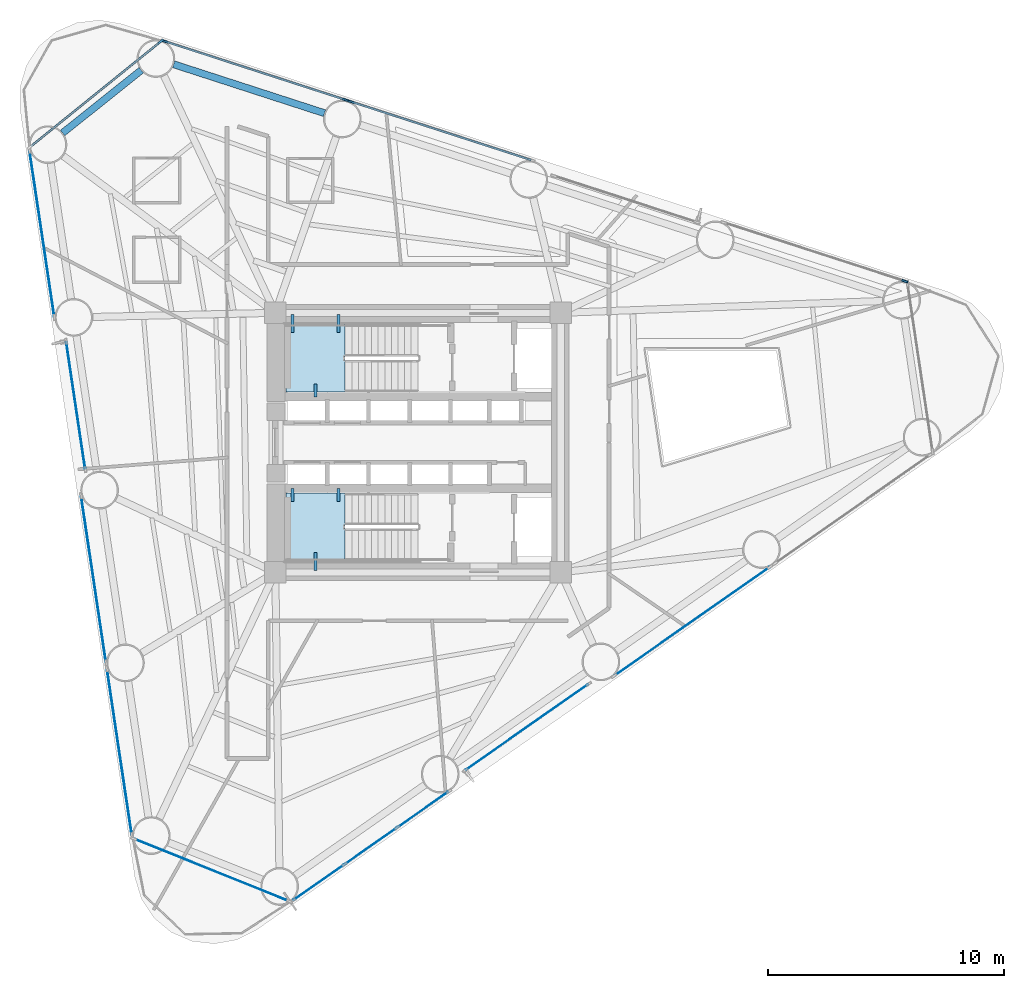
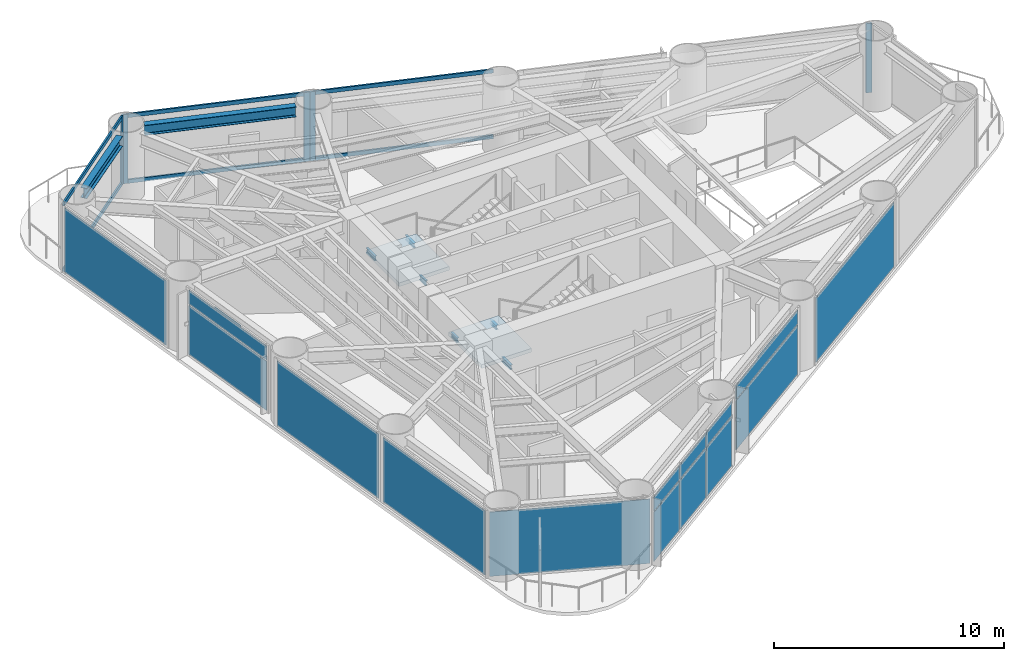
# One storey, part 4 of 9: 17 plates, 11 members, 8 beams, 2 slabs, 14 elements without a shape of their own.
"""IFC4 building model written with IfcOpenShell, lengths in metres."""

from ifc_helpers import new_model, si_unit, direction, frame, origin, origin_2d, place, context, subcontext, project, spatial, polyline, rectangle, i_section, outline, extrude, source, transform, mapped, material, layer, layer_set, material_profile, profile_set, type_object, element, aggregate, save


model = new_model("IFC4")

# Units and contexts
model_context = context("Model", 3, precision=1e-05, world=origin(), true_north=direction((0.0, 1.0)))
body_context = subcontext(model_context, "Body", "Model", "MODEL_VIEW")
ifc_project = project(units=[si_unit("LENGTHUNIT", "METRE"), si_unit("AREAUNIT", "SQUARE_METRE"), si_unit("VOLUMEUNIT", "CUBIC_METRE"), si_unit("PLANEANGLEUNIT", "RADIAN"), si_unit("MASSUNIT", "GRAM", prefix="KILO")], contexts=[model_context])

# Site, building, storey
site_placement = place(None, origin())
site = spatial("IfcSite", under=ifc_project, at=site_placement, CompositionType="ELEMENT")
building_placement = place(site_placement, origin())
building = spatial("IfcBuilding", under=site, at=building_placement, Name="Yunling Apex Tower", CompositionType="ELEMENT")
storey_placement = place(building_placement, frame((0.0, 0.0, 66.050048828125)))
storey = spatial("IfcBuildingStorey", under=building, at=storey_placement, Name="L17", CompositionType="ELEMENT", Elevation=66.050048828125)

# Beams
ifc_material_1 = material(Name="Steel Q355B", Category="steel")
ifc_material_profile_1 = material_profile(ifc_material_1, i_section(OverallWidth=0.125, OverallDepth=0.25, WebThickness=0.006103515625, FlangeThickness=0.009033203125, FilletRadius=0.011962890625, at=origin_2d()))
ifc_profile_set_1 = profile_set([ifc_material_profile_1], Name="Steel Q355B")
beam_type_1 = type_object("IfcBeamType", Name="BL-LNT-1", PredefinedType="LINTEL", material=ifc_profile_set_1)
shared_shape_1 = source(origin(), body_context, "Body", "SweptSolid", [
    extrude(i_section(OverallWidth=0.125, OverallDepth=0.25, WebThickness=0.006103515625, FlangeThickness=0.009033203125, FilletRadius=0.011962890625, at=origin_2d()), origin(), (0.0, 0.0, 1.0), 0.760009765625),
])
for number, where, z_axis, x_axis, name in (
    (1, (-5.320068359375, 5.419921875, 1.554931640625), (0.0, -1.0, 0.0), (1.0, 0.0, 0.0), "L17 ST-1 Landing Bearing Corbel 1-1"),
    (2, (-3.3701171875, 5.419921875, 1.554931640625), (0.0, -1.0, 0.0), (1.0, 0.0, 0.0), "L17 ST-1 Landing Bearing Corbel 1-2"),
    (3, (-4.344970703125, -5.419921875, 1.554931640625), (0.0, 1.0, 0.0), (-1.0, 0.0, 0.0), "L17 ST-2 Landing Bearing Corbel 1-3"),
):
    element("IfcBeam", number, at=place(storey_placement, frame(where, z_axis=z_axis, x_axis=x_axis)), inside=storey, type_object=beam_type_1, Name=name, PredefinedType="LINTEL", context=body_context, shape_type="MappedRepresentation", body=[
        mapped(shared_shape_1, transform((0.0, 0.0, 0.0), scale=1.0)),
    ])
shared_shape_2 = source(origin(), body_context, "Body", "SweptSolid", [
    extrude(i_section(OverallWidth=0.125, OverallDepth=0.25, WebThickness=0.006103515625, FlangeThickness=0.009033203125, FilletRadius=0.011962890625, at=origin_2d()), origin(), (0.0, 0.0, 1.0), 0.550048828125),
])
for number, where, z_axis, x_axis, name in (
    (4, (-4.344970703125, 1.93994140625, 1.554931640625), (0.0, 1.0, 0.0), (-1.0, 0.0, 0.0), "L17 ST-1 Landing Bearing Corbel 1-3"),
    (5, (-5.320068359375, -1.93994140625, 1.554931640625), (0.0, -1.0, 0.0), (1.0, 0.0, 0.0), "L17 ST-2 Landing Bearing Corbel 1-1"),
    (6, (-3.3701171875, -1.93994140625, 1.554931640625), (0.0, -1.0, 0.0), (1.0, 0.0, 0.0), "L17 ST-2 Landing Bearing Corbel 1-2"),
):
    element("IfcBeam", number, at=place(storey_placement, frame(where, z_axis=z_axis, x_axis=x_axis)), inside=storey, type_object=beam_type_1, Name=name, PredefinedType="LINTEL", context=body_context, shape_type="MappedRepresentation", body=[
        mapped(shared_shape_2, transform((0.0, 0.0, 0.0), scale=1.0)),
    ])
ifc_material_profile_2 = material_profile(ifc_material_1, i_section(OverallWidth=0.300048828125, OverallDepth=0.5400390625, WebThickness=0.011962890625, FlangeThickness=0.02001953125, FilletRadius=0.02392578125, at=origin_2d()))
ifc_profile_set_2 = profile_set([ifc_material_profile_2], Name="Steel Q355B")
beam_type_2 = type_object("IfcBeamType", Name="BP-SPN-1", PredefinedType="SPANDREL", material=ifc_profile_set_2)
shared_shape_3 = source(origin(), body_context, "Body", "SweptSolid", [
    extrude(i_section(OverallWidth=0.300048828125, OverallDepth=0.5400390625, WebThickness=0.011962890625, FlangeThickness=0.02001953125, FilletRadius=0.02392578125, at=origin_2d()), origin(), (0.0, 0.0, 1.0), 6.721435546875),
])
beam_1_placement = place(storey_placement, frame((-3.96484375, 13.9638671875, 3.294921875), z_axis=(-0.95126256707, 0.308382114415, 0.0), x_axis=(-0.308382114415, -0.95126256707, 0.0)))
element("IfcBeam", 7, at=beam_1_placement, inside=storey, type_object=beam_type_2, Name="L17 Perimeter Spandrel Beam 9", PredefinedType="SPANDREL", context=body_context, shape_type="MappedRepresentation", body=[
    mapped(shared_shape_3, transform((0.0, 0.0, 0.0), scale=1.0)),
])
shared_shape_4 = source(origin(), body_context, "Body", "SweptSolid", [
    extrude(i_section(OverallWidth=0.300048828125, OverallDepth=0.5400390625, WebThickness=0.011962890625, FlangeThickness=0.02001953125, FilletRadius=0.02392578125, at=origin_2d()), origin(), (0.0, 0.0, 1.0), 4.265869140625),
])
beam_2_placement = place(storey_placement, frame((-11.734619140625, 15.785888671875, 3.294921875), z_axis=(-0.781560697893, -0.623829203796, 0.0), x_axis=(0.623829203796, -0.781560697893, 0.0)))
element("IfcBeam", 8, at=beam_2_placement, inside=storey, type_object=beam_type_2, Name="L17 Perimeter Spandrel Beam 10", PredefinedType="SPANDREL", context=body_context, shape_type="MappedRepresentation", body=[
    mapped(shared_shape_4, transform((0.0, 0.0, 0.0), scale=1.0)),
])

# Curtain wall, member
ifc_material_2 = material(Name="Bronze anodised aluminium", Category="aluminium")
ifc_layer_1 = layer(ifc_material_2, 0.260009765625)
ifc_layer_set_1 = layer_set([ifc_layer_1], Name="Bronze anodised aluminium")
curtain_wall_type = type_object("IfcCurtainWallType", Name="CW-SYS-2", PredefinedType="NOTDEFINED", material=ifc_layer_set_1)
curtain_wall_1_placement = place(storey_placement, origin())
curtain_wall_1 = element("IfcCurtainWall", 9, at=curtain_wall_1_placement, inside=storey, type_object=curtain_wall_type, Name="CW-L17-F2-B1", PredefinedType="NOTDEFINED")
ifc_material_profile_3 = material_profile(ifc_material_2, rectangle(XDim=0.0849609375, YDim=0.260009765625, at=origin_2d()))
ifc_profile_set_3 = profile_set([ifc_material_profile_3], Name="Bronze anodised aluminium")
member_type_1 = type_object("IfcMemberType", Name="CW-MUL-2", PredefinedType="MULLION", material=ifc_profile_set_3)
shared_shape_5 = source(origin(), body_context, "Body", "SweptSolid", [
    extrude(rectangle(XDim=0.0849609375, YDim=0.260009765625, at=origin_2d()), origin(), (0.0, 0.0, 1.0), 3.6650390625),
])
member_1_placement = place(storey_placement, frame((20.63671875, 6.8408203125, -0.050048828125), z_axis=(0.0, 0.0, 1.0), x_axis=(-0.30835735341, -0.951270593784, 0.0)))
member_1 = element("IfcMember", 10, at=member_1_placement, type_object=member_type_1, Name="CW-SYS-2 mullion 1", PredefinedType="MULLION", context=body_context, shape_type="MappedRepresentation", body=[
    mapped(shared_shape_5, transform((0.0, 0.0, 0.0), scale=1.0)),
])
aggregate(curtain_wall_1, [member_1])

curtain_wall_2_placement = place(storey_placement, origin())
curtain_wall_2 = element("IfcCurtainWall", 11, at=curtain_wall_2_placement, inside=storey, type_object=curtain_wall_type, Name="CW-L17-F2-B3", PredefinedType="NOTDEFINED")
member_2_placement = place(storey_placement, frame((-2.84326171875, 14.451904296875, -0.050048828125), z_axis=(0.0, 0.0, 1.0), x_axis=(-0.308368457544, -0.951266994272, 0.0)))
member_2 = element("IfcMember", 12, at=member_2_placement, type_object=member_type_1, Name="CW-SYS-2 mullion 2", PredefinedType="MULLION", context=body_context, shape_type="MappedRepresentation", body=[
    mapped(shared_shape_5, transform((0.0, 0.0, 0.0), scale=1.0)),
])

# Curtain wall, members
curtain_wall_3_placement = place(storey_placement, origin())
curtain_wall_3 = element("IfcCurtainWall", 13, at=curtain_wall_3_placement, inside=storey, type_object=curtain_wall_type, Name="CW-L17-F2-B4", PredefinedType="NOTDEFINED")
member_3_placement = place(storey_placement, frame((-3.076416015625, 14.52734375, -0.050048828125), z_axis=(0.0, 0.0, 1.0), x_axis=(-0.30835735341, -0.951270593784, 0.0)))
member_3 = element("IfcMember", 14, at=member_3_placement, type_object=member_type_1, Name="CW-SYS-2 mullion 1", PredefinedType="MULLION", context=body_context, shape_type="MappedRepresentation", body=[
    mapped(shared_shape_5, transform((0.0, 0.0, 0.0), scale=1.0)),
])
member_4_placement = place(storey_placement, frame((-10.747802734375, 17.01416015625, -0.050048828125), z_axis=(0.0, 0.0, 1.0), x_axis=(-0.30835735341, -0.951270593784, 0.0)))
member_4 = element("IfcMember", 15, at=member_4_placement, type_object=member_type_1, Name="CW-SYS-2 mullion 2", PredefinedType="MULLION", context=body_context, shape_type="MappedRepresentation", body=[
    mapped(shared_shape_5, transform((0.0, 0.0, 0.0), scale=1.0)),
])

# Curtain wall, member
curtain_wall_4_placement = place(storey_placement, origin())
curtain_wall_4 = element("IfcCurtainWall", 16, at=curtain_wall_4_placement, inside=storey, type_object=curtain_wall_type, Name="CW-L17-CRN2", PredefinedType="NOTDEFINED")
member_5_placement = place(storey_placement, frame((-10.903564453125, 17.006103515625, -0.050048828125), z_axis=(0.0, 0.0, 1.0), x_axis=(0.628079941911, -0.778148820322, 0.0)))
member_5 = element("IfcMember", 17, at=member_5_placement, type_object=member_type_1, Name="CW-SYS-2 mullion 1", PredefinedType="MULLION", context=body_context, shape_type="MappedRepresentation", body=[
    mapped(shared_shape_5, transform((0.0, 0.0, 0.0), scale=1.0)),
])

# Member
ifc_material_profile_4 = material_profile(ifc_material_2, rectangle(XDim=0.0849609375, YDim=0.199951171875, at=origin_2d()))
ifc_profile_set_4 = profile_set([ifc_material_profile_4], Name="Bronze anodised aluminium")
member_type_2 = type_object("IfcMemberType", Name="CW-TRN-2", PredefinedType="USERDEFINED", material=ifc_profile_set_4)
shared_shape_6 = source(origin(), body_context, "Body", "SweptSolid", [
    extrude(rectangle(XDim=0.0849609375, YDim=0.199951171875, at=origin_2d()), origin(), (0.0, 0.0, 1.0), 7.98779296875),
])
member_6_placement = place(storey_placement, frame((4.79150390625, 11.976806640625, 0.04248046875), z_axis=(-0.951258205262, 0.308395568907, 0.0), x_axis=(-0.308395568907, -0.951258205262, 0.0)))
member_6 = element("IfcMember", 18, at=member_6_placement, type_object=member_type_2, Name="CW-SYS-2 transom 1.1", ObjectType="TRANSOM", PredefinedType="USERDEFINED", context=body_context, shape_type="MappedRepresentation", body=[
    mapped(shared_shape_6, transform((0.0, 0.0, 0.0), scale=1.0)),
])

member_7_placement = place(storey_placement, frame((4.79150390625, 11.976806640625, 3.5224609375), z_axis=(-0.951258205262, 0.308395568907, 0.0), x_axis=(-0.308395568907, -0.951258205262, 0.0)))
member_7 = element("IfcMember", 19, at=member_7_placement, type_object=member_type_2, Name="CW-SYS-2 transom 1.2", ObjectType="TRANSOM", PredefinedType="USERDEFINED", context=body_context, shape_type="MappedRepresentation", body=[
    mapped(shared_shape_6, transform((0.0, 0.0, 0.0), scale=1.0)),
])

aggregate(curtain_wall_2, [member_2, member_6, member_7])

member_8_placement = place(storey_placement, frame((-3.11279296875, 14.539306640625, 0.04248046875), z_axis=(-0.951279042821, 0.308331287237, 0.0), x_axis=(-0.308331287237, -0.951279042821, 0.0)))
member_8 = element("IfcMember", 20, at=member_8_placement, type_object=member_type_2, Name="CW-SYS-2 transom 1.1", ObjectType="TRANSOM", PredefinedType="USERDEFINED", context=body_context, shape_type="MappedRepresentation", body=[
    mapped(shared_shape_6, transform((0.0, 0.0, 0.0), scale=1.0)),
])

member_9_placement = place(storey_placement, frame((-3.11279296875, 14.539306640625, 3.5224609375), z_axis=(-0.951279042821, 0.308331287237, 0.0), x_axis=(-0.308331287237, -0.951279042821, 0.0)))
member_9 = element("IfcMember", 21, at=member_9_placement, type_object=member_type_2, Name="CW-SYS-2 transom 1.2", ObjectType="TRANSOM", PredefinedType="USERDEFINED", context=body_context, shape_type="MappedRepresentation", body=[
    mapped(shared_shape_6, transform((0.0, 0.0, 0.0), scale=1.0)),
])

aggregate(curtain_wall_3, [member_3, member_4, member_8, member_9])

shared_shape_7 = source(origin(), body_context, "Body", "SweptSolid", [
    extrude(rectangle(XDim=0.0849609375, YDim=0.199951171875, at=origin_2d()), origin(), (0.0, 0.0, 1.0), 7.03515625),
])
member_10_placement = place(storey_placement, frame((-10.933349609375, 16.982177734375, 0.04248046875), z_axis=(-0.778142739989, -0.628087474961, 0.0), x_axis=(0.628087474961, -0.778142739989, 0.0)))
member_10 = element("IfcMember", 22, at=member_10_placement, type_object=member_type_2, Name="CW-SYS-2 transom 1.1", ObjectType="TRANSOM", PredefinedType="USERDEFINED", context=body_context, shape_type="MappedRepresentation", body=[
    mapped(shared_shape_7, transform((0.0, 0.0, 0.0), scale=1.0)),
])

member_11_placement = place(storey_placement, frame((-10.933349609375, 16.982177734375, 3.5224609375), z_axis=(-0.778142739989, -0.628087474961, 0.0), x_axis=(0.628087474961, -0.778142739989, 0.0)))
member_11 = element("IfcMember", 23, at=member_11_placement, type_object=member_type_2, Name="CW-SYS-2 transom 1.2", ObjectType="TRANSOM", PredefinedType="USERDEFINED", context=body_context, shape_type="MappedRepresentation", body=[
    mapped(shared_shape_7, transform((0.0, 0.0, 0.0), scale=1.0)),
])

aggregate(curtain_wall_4, [member_5, member_10, member_11])

# Stair, slab
ifc_material_3 = material(Name="Concrete C40", Category="concrete")
stair_type = type_object("IfcStairType", Name="ST-TWR-1", PredefinedType="HALF_TURN_STAIR", material=ifc_material_3)
stair_1_placement = place(storey_placement, origin())
stair_1 = element("IfcStair", 24, at=stair_1_placement, inside=storey, type_object=stair_type, Name="L17 North Core Smokeproof Exit Stair ST-1", PredefinedType="HALF_TURN_STAIR")
ifc_layer_2 = layer(ifc_material_3, 0.195068359375)
ifc_layer_set_2 = layer_set([ifc_layer_2], Name="Concrete C40")
slab_type = type_object("IfcSlabType", Name="SL-LND-1", PredefinedType="LANDING", material=ifc_layer_set_2)
slab_1_placement = place(storey_placement, frame((0.0, 0.0, 1.679931640625)))
slab_1 = element("IfcSlab", 25, at=slab_1_placement, type_object=slab_type, Name="ST-1 landing 1", PredefinedType="LANDING", context=body_context, shape_type="SweptSolid", body=[
    extrude(outline(polyline([(-3.090087890625, 5.010009765625), (-5.60009765625, 5.010009765625), (-5.60009765625, 2.139892578125), (-3.090087890625, 2.139892578125), (-3.090087890625, 5.010009765625)])), origin(), (0.0, 0.0, 1.0), 0.195068359375),
])
aggregate(stair_1, [slab_1])

stair_2_placement = place(storey_placement, origin())
stair_2 = element("IfcStair", 26, at=stair_2_placement, inside=storey, type_object=stair_type, Name="L17 South Core Smokeproof Exit Stair ST-2", PredefinedType="HALF_TURN_STAIR")
slab_2_placement = place(storey_placement, frame((0.0, 0.0, 1.679931640625)))
slab_2 = element("IfcSlab", 27, at=slab_2_placement, type_object=slab_type, Name="ST-2 landing 1", PredefinedType="LANDING", context=body_context, shape_type="SweptSolid", body=[
    extrude(outline(polyline([(-3.090087890625, -2.139892578125), (-5.60009765625, -2.139892578125), (-5.60009765625, -5.010009765625), (-3.090087890625, -5.010009765625), (-3.090087890625, -2.139892578125)])), origin(), (0.0, 0.0, 1.0), 0.195068359375),
])
aggregate(stair_2, [slab_2])

# Plates
ifc_layer_3 = layer(ifc_material_2, 0.011962890625)
ifc_layer_set_3 = layer_set([ifc_layer_3], Name="Bronze anodised aluminium")
plate_type_1 = type_object("IfcPlateType", Name="SP-SHT-1", PredefinedType="SHEET", material=ifc_layer_set_3)
shared_shape_8 = source(origin(), body_context, "Body", "SweptSolid", [
    extrude(rectangle(XDim=1.800048828125, YDim=0.02392578125, at=origin_2d()), origin(), (0.0, 0.0, 1.0), 0.43994140625),
])
for number, where, z_axis, x_axis, name in (
    (28, (4.615966796875, -12.0625, 3.1650390625), (0.0, 0.0, 1.0), (0.819552276527, 0.573004420611, 0.0), "SP-GRV-L17-F1"),
    (29, (-14.51220703125, 1.57470703125, 3.1650390625), (0.0, 0.0, 1.0), (0.14780941113, -0.989015863362, 0.0), "SP-GRV-L17-F3"),
):
    element("IfcPlate", number, at=place(storey_placement, frame(where, z_axis=z_axis, x_axis=x_axis)), inside=storey, type_object=plate_type_1, Name=name, PredefinedType="SHEET", context=body_context, shape_type="MappedRepresentation", body=[
        mapped(shared_shape_8, transform((0.0, 0.0, 0.0), scale=1.0)),
    ])

# Curtain wall, plates
curtain_wall_5_placement = place(storey_placement, origin())
curtain_wall_5 = element("IfcCurtainWall", 30, at=curtain_wall_5_placement, inside=storey, type_object=curtain_wall_type, Name="CW-L17-F1-B1", PredefinedType="NOTDEFINED")
ifc_material_4 = material(Name="Bronze tinted low-E glass", Category="glass")
ifc_layer_4 = layer(ifc_material_4, 0.033935546875)
ifc_layer_set_4 = layer_set([ifc_layer_4], Name="Bronze tinted low-E glass")
plate_type_2 = type_object("IfcPlateType", Name="CW-PNL-2", PredefinedType="CURTAIN_PANEL", material=ifc_layer_set_4)
shared_shape_9 = source(origin(), body_context, "Body", "SweptSolid", [
    extrude(rectangle(XDim=2.60546875, YDim=0.033935546875, at=origin_2d()), origin(), (0.0, 0.0, 1.0), 2.60400390625),
])
plate_1_placement = place(storey_placement, frame((-4.2080078125, -18.64697265625, 0.07666015625), z_axis=(0.0, 0.0, 1.0), x_axis=(0.819552319691, 0.573004358875, 0.0)))
plate_1 = element("IfcPlate", 31, at=plate_1_placement, type_object=plate_type_2, Name="CW-SYS-2 panel 1.1", PredefinedType="CURTAIN_PANEL", context=body_context, shape_type="MappedRepresentation", body=[
    mapped(shared_shape_9, transform((0.0, 0.0, 0.0), scale=1.0)),
])
plate_2_placement = place(storey_placement, frame((0.209716796875, -15.55810546875, 0.07666015625), z_axis=(0.0, 0.0, 1.0), x_axis=(0.819552319691, 0.573004358875, 0.0)))
plate_2 = element("IfcPlate", 32, at=plate_2_placement, type_object=plate_type_2, Name="CW-SYS-2 panel 3.1", PredefinedType="CURTAIN_PANEL", context=body_context, shape_type="MappedRepresentation", body=[
    mapped(shared_shape_9, transform((0.0, 0.0, 0.0), scale=1.0)),
])
shared_shape_10 = source(origin(), body_context, "Body", "SweptSolid", [
    extrude(rectangle(XDim=2.60546875, YDim=0.033935546875, at=origin_2d()), origin(), (0.0, 0.0, 1.0), 0.739013671875),
])
plate_3_placement = place(storey_placement, frame((-4.2080078125, -18.64697265625, 2.7490234375), z_axis=(0.0, 0.0, 1.0), x_axis=(0.819552319691, 0.573004358875, 0.0)))
plate_3 = element("IfcPlate", 33, at=plate_3_placement, type_object=plate_type_2, Name="CW-SYS-2 panel 1.2", PredefinedType="CURTAIN_PANEL", context=body_context, shape_type="MappedRepresentation", body=[
    mapped(shared_shape_10, transform((0.0, 0.0, 0.0), scale=1.0)),
])
plate_4_placement = place(storey_placement, frame((0.209716796875, -15.55810546875, 2.7490234375), z_axis=(0.0, 0.0, 1.0), x_axis=(0.819552319691, 0.573004358875, 0.0)))
plate_4 = element("IfcPlate", 34, at=plate_4_placement, type_object=plate_type_2, Name="CW-SYS-2 panel 3.2", PredefinedType="CURTAIN_PANEL", context=body_context, shape_type="MappedRepresentation", body=[
    mapped(shared_shape_10, transform((0.0, 0.0, 0.0), scale=1.0)),
])
shared_shape_11 = source(origin(), body_context, "Body", "SweptSolid", [
    extrude(rectangle(XDim=2.64794921875, YDim=0.033935546875, at=origin_2d()), origin(), (0.0, 0.0, 1.0), 2.60400390625),
])
plate_5_placement = place(storey_placement, frame((-1.9990234375, -17.1025390625, 0.07666015625), z_axis=(0.0, 0.0, 1.0), x_axis=(0.819552319691, 0.573004358875, 0.0)))
plate_5 = element("IfcPlate", 35, at=plate_5_placement, type_object=plate_type_2, Name="CW-SYS-2 panel 2.1", PredefinedType="CURTAIN_PANEL", context=body_context, shape_type="MappedRepresentation", body=[
    mapped(shared_shape_11, transform((0.0, 0.0, 0.0), scale=1.0)),
])
shared_shape_12 = source(origin(), body_context, "Body", "SweptSolid", [
    extrude(rectangle(XDim=2.64794921875, YDim=0.033935546875, at=origin_2d()), origin(), (0.0, 0.0, 1.0), 0.739013671875),
])
plate_6_placement = place(storey_placement, frame((-1.9990234375, -17.1025390625, 2.7490234375), z_axis=(0.0, 0.0, 1.0), x_axis=(0.819552319691, 0.573004358875, 0.0)))
plate_6 = element("IfcPlate", 36, at=plate_6_placement, type_object=plate_type_2, Name="CW-SYS-2 panel 2.2", PredefinedType="CURTAIN_PANEL", context=body_context, shape_type="MappedRepresentation", body=[
    mapped(shared_shape_12, transform((0.0, 0.0, 0.0), scale=1.0)),
])
aggregate(curtain_wall_5, [plate_1, plate_3, plate_5, plate_6, plate_2, plate_4])

curtain_wall_6_placement = place(storey_placement, origin())
curtain_wall_6 = element("IfcCurtainWall", 37, at=curtain_wall_6_placement, inside=storey, type_object=curtain_wall_type, Name="CW-L17-F1-B2", PredefinedType="NOTDEFINED")
shared_shape_13 = source(origin(), body_context, "Body", "SweptSolid", [
    extrude(rectangle(XDim=6.315673828125, YDim=0.033935546875, at=origin_2d()), origin(), (0.0, 0.0, 1.0), 2.60400390625),
])
plate_7_placement = place(storey_placement, frame((4.615966796875, -12.0625, 0.07666015625), z_axis=(0.0, 0.0, 1.0), x_axis=(0.819553499175, 0.573002671888, 0.0)))
plate_7 = element("IfcPlate", 38, at=plate_7_placement, type_object=plate_type_2, Name="CW-SYS-2 panel 1.1", PredefinedType="CURTAIN_PANEL", context=body_context, shape_type="MappedRepresentation", body=[
    mapped(shared_shape_13, transform((0.0, 0.0, 0.0), scale=1.0)),
])
shared_shape_14 = source(origin(), body_context, "Body", "SweptSolid", [
    extrude(rectangle(XDim=6.315673828125, YDim=0.033935546875, at=origin_2d()), origin(), (0.0, 0.0, 1.0), 0.739013671875),
])
plate_8_placement = place(storey_placement, frame((4.615966796875, -12.0625, 2.7490234375), z_axis=(0.0, 0.0, 1.0), x_axis=(0.819553499175, 0.573002671888, 0.0)))
plate_8 = element("IfcPlate", 39, at=plate_8_placement, type_object=plate_type_2, Name="CW-SYS-2 panel 1.2", PredefinedType="CURTAIN_PANEL", context=body_context, shape_type="MappedRepresentation", body=[
    mapped(shared_shape_14, transform((0.0, 0.0, 0.0), scale=1.0)),
])
aggregate(curtain_wall_6, [plate_7, plate_8])

# Curtain wall, plate
curtain_wall_7_placement = place(storey_placement, origin())
curtain_wall_7 = element("IfcCurtainWall", 40, at=curtain_wall_7_placement, inside=storey, type_object=curtain_wall_type, Name="CW-L17-F1-B3", PredefinedType="NOTDEFINED")
shared_shape_15 = source(origin(), body_context, "Body", "SweptSolid", [
    extrude(rectangle(XDim=7.995849609375, YDim=0.033935546875, at=origin_2d()), origin(), (0.0, 0.0, 1.0), 3.41162109375),
])
plate_9_placement = place(storey_placement, frame((11.62060546875, -7.579833984375, 0.07666015625), z_axis=(0.0, 0.0, 1.0), x_axis=(0.819558082217, 0.572996116804, 0.0)))
plate_9 = element("IfcPlate", 41, at=plate_9_placement, type_object=plate_type_2, Name="CW-SYS-2 panel 1.1", PredefinedType="CURTAIN_PANEL", context=body_context, shape_type="MappedRepresentation", body=[
    mapped(shared_shape_15, transform((0.0, 0.0, 0.0), scale=1.0)),
])
aggregate(curtain_wall_7, [plate_9])

curtain_wall_8_placement = place(storey_placement, origin())
curtain_wall_8 = element("IfcCurtainWall", 42, at=curtain_wall_8_placement, inside=storey, type_object=curtain_wall_type, Name="CW-L17-CRN3", PredefinedType="NOTDEFINED")
shared_shape_16 = source(origin(), body_context, "Body", "SweptSolid", [
    extrude(rectangle(XDim=7.043212890625, YDim=0.033935546875, at=origin_2d()), origin(), (0.0, 0.0, 1.0), 3.41162109375),
])
plate_10_placement = place(storey_placement, frame((-8.75390625, -18.1240234375, 0.07666015625), z_axis=(0.0, 0.0, 1.0), x_axis=(0.927773562961, -0.373143693329, 0.0)))
plate_10 = element("IfcPlate", 43, at=plate_10_placement, type_object=plate_type_2, Name="CW-SYS-2 panel 1.1", PredefinedType="CURTAIN_PANEL", context=body_context, shape_type="MappedRepresentation", body=[
    mapped(shared_shape_16, transform((0.0, 0.0, 0.0), scale=1.0)),
])
aggregate(curtain_wall_8, [plate_10])

curtain_wall_9_placement = place(storey_placement, origin())
curtain_wall_9 = element("IfcCurtainWall", 44, at=curtain_wall_9_placement, inside=storey, type_object=curtain_wall_type, Name="CW-L17-F3-B1", PredefinedType="NOTDEFINED")
shared_shape_17 = source(origin(), body_context, "Body", "SweptSolid", [
    extrude(rectangle(XDim=7.091552734375, YDim=0.033935546875, at=origin_2d()), origin(), (0.0, 0.0, 1.0), 3.41162109375),
])
plate_11_placement = place(storey_placement, frame((-15.943115234375, 8.847900390625, 0.07666015625), z_axis=(0.0, 0.0, 1.0), x_axis=(0.147799122579, -0.989017400941, 0.0)))
plate_11 = element("IfcPlate", 45, at=plate_11_placement, type_object=plate_type_2, Name="CW-SYS-2 panel 1.1", PredefinedType="CURTAIN_PANEL", context=body_context, shape_type="MappedRepresentation", body=[
    mapped(shared_shape_17, transform((0.0, 0.0, 0.0), scale=1.0)),
])
aggregate(curtain_wall_9, [plate_11])

# Curtain wall, plates
curtain_wall_10_placement = place(storey_placement, origin())
curtain_wall_10 = element("IfcCurtainWall", 46, at=curtain_wall_10_placement, inside=storey, type_object=curtain_wall_type, Name="CW-L17-F3-B2", PredefinedType="NOTDEFINED")
shared_shape_18 = source(origin(), body_context, "Body", "SweptSolid", [
    extrude(rectangle(XDim=5.411376953125, YDim=0.033935546875, at=origin_2d()), origin(), (0.0, 0.0, 1.0), 2.60400390625),
])
plate_12_placement = place(storey_placement, frame((-14.51220703125, 1.57470703125, 0.07666015625), z_axis=(0.0, 0.0, 1.0), x_axis=(0.147800900076, -0.98901713531, 0.0)))
plate_12 = element("IfcPlate", 47, at=plate_12_placement, type_object=plate_type_2, Name="CW-SYS-2 panel 1.1", PredefinedType="CURTAIN_PANEL", context=body_context, shape_type="MappedRepresentation", body=[
    mapped(shared_shape_18, transform((0.0, 0.0, 0.0), scale=1.0)),
])
shared_shape_19 = source(origin(), body_context, "Body", "SweptSolid", [
    extrude(rectangle(XDim=5.411376953125, YDim=0.033935546875, at=origin_2d()), origin(), (0.0, 0.0, 1.0), 0.739013671875),
])
plate_13_placement = place(storey_placement, frame((-14.51220703125, 1.57470703125, 2.7490234375), z_axis=(0.0, 0.0, 1.0), x_axis=(0.147800900076, -0.98901713531, 0.0)))
plate_13 = element("IfcPlate", 48, at=plate_13_placement, type_object=plate_type_2, Name="CW-SYS-2 panel 1.2", PredefinedType="CURTAIN_PANEL", context=body_context, shape_type="MappedRepresentation", body=[
    mapped(shared_shape_19, transform((0.0, 0.0, 0.0), scale=1.0)),
])
aggregate(curtain_wall_10, [plate_12, plate_13])

# Curtain wall, plate
curtain_wall_11_placement = place(storey_placement, origin())
curtain_wall_11 = element("IfcCurtainWall", 49, at=curtain_wall_11_placement, inside=storey, type_object=curtain_wall_type, Name="CW-L17-F3-B3", PredefinedType="NOTDEFINED")
shared_shape_20 = source(origin(), body_context, "Body", "SweptSolid", [
    extrude(rectangle(XDim=7.09130859375, YDim=0.033935546875, at=origin_2d()), origin(), (0.0, 0.0, 1.0), 3.41162109375),
])
plate_14_placement = place(storey_placement, frame((-13.75390625, -5.799072265625, 0.07666015625), z_axis=(0.0, 0.0, 1.0), x_axis=(0.147814641525, -0.98901508166, 0.0)))
plate_14 = element("IfcPlate", 50, at=plate_14_placement, type_object=plate_type_2, Name="CW-SYS-2 panel 1.1", PredefinedType="CURTAIN_PANEL", context=body_context, shape_type="MappedRepresentation", body=[
    mapped(shared_shape_20, transform((0.0, 0.0, 0.0), scale=1.0)),
])
aggregate(curtain_wall_11, [plate_14])

curtain_wall_12_placement = place(storey_placement, origin())
curtain_wall_12 = element("IfcCurtainWall", 51, at=curtain_wall_12_placement, inside=storey, type_object=curtain_wall_type, Name="CW-L17-F3-B4", PredefinedType="NOTDEFINED")
plate_15_placement = place(storey_placement, frame((-12.659423828125, -13.12255859375, 0.07666015625), z_axis=(0.0, 0.0, 1.0), x_axis=(0.14780114022, -0.989017099422, 0.0)))
plate_15 = element("IfcPlate", 52, at=plate_15_placement, type_object=plate_type_2, Name="CW-SYS-2 panel 1.1", PredefinedType="CURTAIN_PANEL", context=body_context, shape_type="MappedRepresentation", body=[
    mapped(shared_shape_20, transform((0.0, 0.0, 0.0), scale=1.0)),
])
aggregate(curtain_wall_12, [plate_15])

save(model, "model.ifc")
